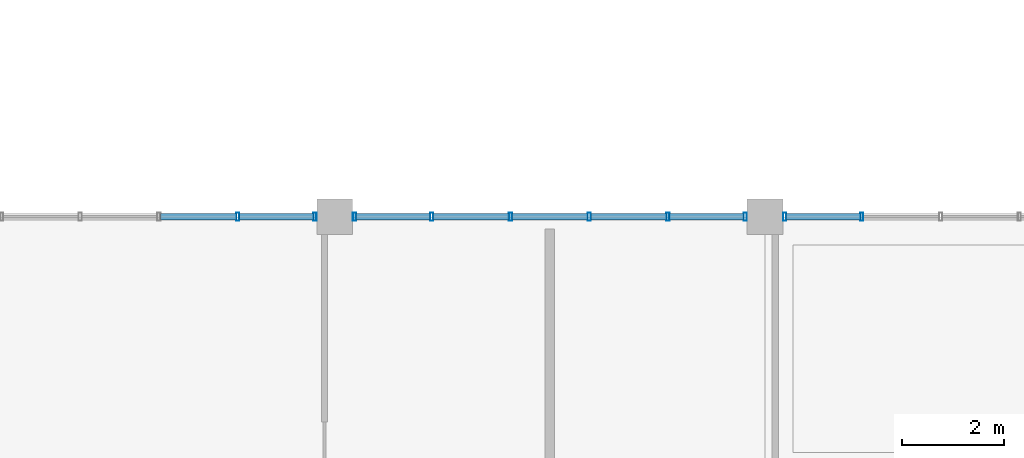
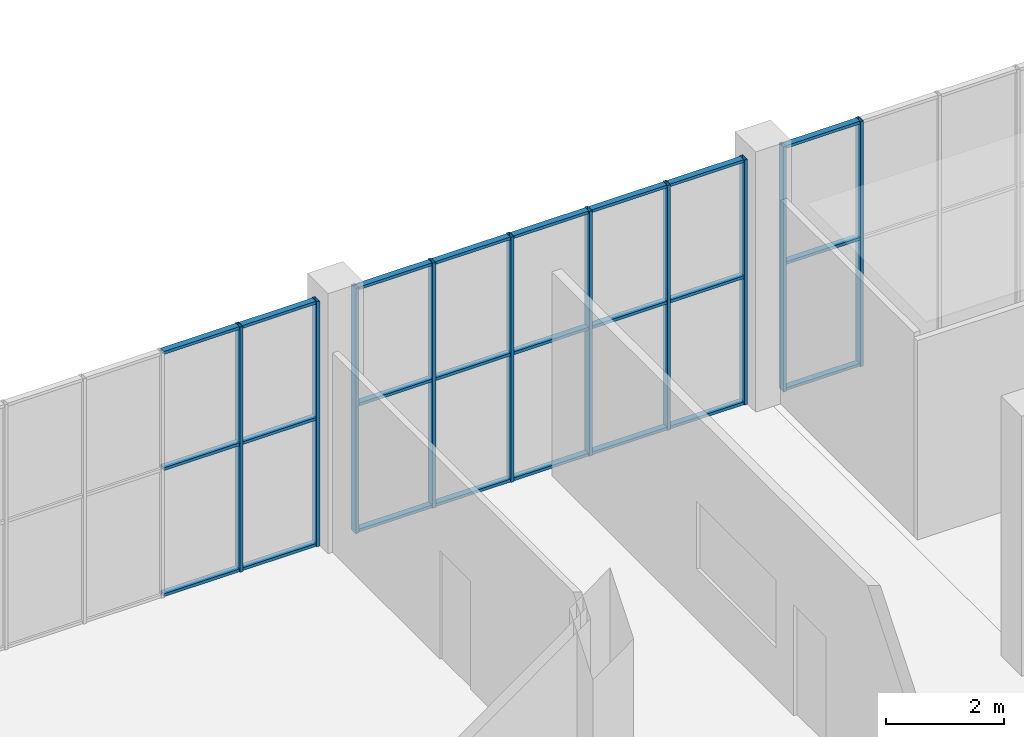
# One storey, part 42 of 91: 34 members, 3 elements without a shape of their own.
"""IFC4 building model written with IfcOpenShell, lengths in metres."""

import ifcopenshell
import ifcopenshell.guid

model = None  # the IFC model being written
_history = None  # IfcOwnerHistory: only IFC2X3 demands one
_inside = {}  # id of a spatial element -> (the spatial element, [elements in it])
_under = {}  # id of a project, library or spatial element -> (it, [spatial elements below it])
_declared = {}  # id of a project -> (the project, [libraries it declares])
_typed = {}  # id of a type object -> (the type object, [elements of that type])
_made_of = {}  # id of a material, layer set ... -> (it, [elements and type objects made of it])


def new_model(schema):
    """Start an empty IFC model of exactly this schema.

    Asked for "IFC4X3", IfcOpenShell would pick the latest addendum, in which some entities
    have other attributes; the version numbers below select the first issue.
    IFC2X3 requires an IfcOwnerHistory on every rooted entity: one is made here for all.
    """
    global model, _history
    if schema == "IFC4X3":
        model = ifcopenshell.file(schema_version=(4, 3, 0, 0))
    else:
        model = ifcopenshell.file(schema=schema)
    _inside.clear()
    _under.clear()
    _declared.clear()
    _typed.clear()
    _made_of.clear()
    _history = None
    if model.schema == "IFC2X3":
        org = make("IfcOrganization", Name="unknown")
        user = make(
            "IfcPersonAndOrganization",
            ThePerson=make("IfcPerson", FamilyName="unknown"),
            TheOrganization=org,
        )
        app = make(
            "IfcApplication",
            ApplicationDeveloper=org,
            Version="unknown",
            ApplicationFullName="unknown",
            ApplicationIdentifier="unknown",
        )
        _history = make(
            "IfcOwnerHistory",
            OwningUser=user,
            OwningApplication=app,
            ChangeAction="ADDED",
            CreationDate=0,
        )
    return model


def make(cls, **values):
    """One entity of the class cls with the attributes given. An attribute that is None is left unset."""
    return model.create_entity(
        cls, **{name: value for name, value in values.items() if value is not None}
    )


def rooted(cls, **values):
    """An entity with a GlobalId (a new one), such as an element, a storey or a relation."""
    return make(cls, GlobalId=ifcopenshell.guid.new(), OwnerHistory=_history, **values)


def si_unit(unit_type, name, prefix=None):
    """IfcSIUnit, for example si_unit("LENGTHUNIT", "METRE", prefix="MILLI")."""
    return make("IfcSIUnit", UnitType=unit_type, Prefix=prefix, Name=name)


def assignment(units):
    """IfcUnitAssignment: the units of a project."""
    return None if units is None else make("IfcUnitAssignment", Units=units)


def point(xyz):
    """IfcCartesianPoint."""
    return None if xyz is None else make("IfcCartesianPoint", Coordinates=xyz)


def direction(xyz):
    """IfcDirection."""
    return None if xyz is None else make("IfcDirection", DirectionRatios=xyz)


def frame(location, z_axis=None, x_axis=None):
    """IfcAxis2Placement3D, a coordinate frame: its origin and axes. An axis left out is left unset."""
    return make(
        "IfcAxis2Placement3D",
        Location=point(location),
        Axis=direction(z_axis),
        RefDirection=direction(x_axis),
    )


def frame_2d(location, x_axis=None):
    """IfcAxis2Placement2D, a coordinate frame in the plane: its origin and x axis."""
    return make(
        "IfcAxis2Placement2D", Location=point(location), RefDirection=direction(x_axis)
    )


def origin():
    """The frame at (0, 0, 0) with its axes left unset."""
    return frame((0.0, 0.0, 0.0))


def origin_2d():
    """The frame at (0, 0) in the plane with its x axis left unset."""
    return frame_2d((0.0, 0.0))


def place(relative_to, where):
    """IfcLocalPlacement: puts the frame where relative to a parent placement (None: the world)."""
    return make(
        "IfcLocalPlacement", PlacementRelTo=relative_to, RelativePlacement=where
    )


def context(
    kind, dimensions, precision=None, world=None, true_north=None, identifier=None
):
    """IfcGeometricRepresentationContext, for example the 3D "Model" context."""
    return make(
        "IfcGeometricRepresentationContext",
        ContextIdentifier=identifier,
        ContextType=kind,
        CoordinateSpaceDimension=dimensions,
        Precision=precision,
        WorldCoordinateSystem=world,
        TrueNorth=true_north,
    )


def subcontext(parent, identifier, kind, view, scale=None):
    """IfcGeometricRepresentationSubContext, for example "Body" below "Model"."""
    return make(
        "IfcGeometricRepresentationSubContext",
        ContextIdentifier=identifier,
        ContextType=kind,
        ParentContext=parent,
        TargetScale=scale,
        TargetView=view,
    )


def project(units=None, contexts=None):
    """IfcProject with its units and contexts."""
    return rooted(
        "IfcProject",
        Name="project",
        RepresentationContexts=contexts,
        UnitsInContext=assignment(units),
    )


def spatial(cls, under=None, at=None, **own):
    """A site, building, storey or space (cls), placed at a placement, below another one or the project."""
    s = rooted(cls, ObjectPlacement=at, **own)
    if under is not None:
        _under.setdefault(under.id(), (under, []))[1].append(s)
    return s


def profile(cls, at=None, kind="AREA", **sizes):
    """A parametric profile (cls). Its sizes go by their IFC names, for example OverallWidth=200.0."""
    return make(cls, ProfileType=kind, Position=at, **sizes)


def hollow_rectangle(**sizes):
    """IfcRectangleHollowProfileDef."""
    return profile("IfcRectangleHollowProfileDef", **sizes)


def extrude(swept, where, along, depth):
    """IfcExtrudedAreaSolid: the profile swept, set in the frame where, extruded along a direction by depth."""
    return make(
        "IfcExtrudedAreaSolid",
        SweptArea=swept,
        Position=where,
        ExtrudedDirection=direction(along),
        Depth=depth,
    )


def shape(context_of_items, identifier, shape_type, items):
    """IfcShapeRepresentation: the items that make up one representation, for example the "Body"."""
    return make(
        "IfcShapeRepresentation",
        ContextOfItems=context_of_items,
        RepresentationIdentifier=identifier,
        RepresentationType=shape_type,
        Items=items,
    )


def material(Name=None, Category=None):
    """IfcMaterial."""
    return make("IfcMaterial", Name=Name, Category=Category)


def material_profile(
    of_material, cross_section, Name=None, Category=None, Priority=None
):
    """IfcMaterialProfile: a cross section and its material."""
    return make(
        "IfcMaterialProfile",
        Name=Name,
        Material=of_material,
        Profile=cross_section,
        Priority=Priority,
        Category=Category,
    )


def profile_set(profiles, Name=None, composite=None):
    """IfcMaterialProfileSet."""
    return make(
        "IfcMaterialProfileSet",
        Name=Name,
        MaterialProfiles=profiles,
        CompositeProfile=composite,
    )


def made_of(thing, what):
    """Note that an element or type object is made of a material, layer set ...; save() writes the relation."""
    if what is not None:
        _made_of.setdefault(what.id(), (what, []))[1].append(thing)
    return thing


def type_object(cls, material=None, **own):
    """A type object (cls), such as IfcWallType, which elements share."""
    return made_of(rooted(cls, **own), material)


def element(
    cls,
    number,
    at=None,
    inside=None,
    cuts=None,
    type_object=None,
    material=None,
    context=None,
    identifier="Body",
    shape_type=None,
    held_by="IfcProductDefinitionShape",
    body=None,
    shapes=None,
    **own,
):
    """One element of the class cls, such as IfcWall. Its Tag is "e" and its number.

    at: its placement. inside: the storey or other place that contains it. cuts: it is an
    opening in that element (IfcRelVoidsElement). A single representation is given by context,
    identifier, shape_type and body (its items); several are given by shapes. held_by: the class
    of the entity that holds the representations. save() writes the other relations.
    """
    e = rooted(cls, Tag="e%d" % number, ObjectPlacement=at, **own)
    if body is not None:
        shapes = [shape(context, identifier, shape_type, body)]
    if shapes is not None:
        e.Representation = make(held_by, Representations=shapes)
    if inside is not None:
        _inside.setdefault(inside.id(), (inside, []))[1].append(e)
    if cuts is not None:
        rooted(
            "IfcRelVoidsElement", RelatingBuildingElement=cuts, RelatedOpeningElement=e
        )
    if type_object is not None:
        _typed.setdefault(type_object.id(), (type_object, []))[1].append(e)
    return made_of(e, material)


def aggregate(whole, parts):
    """IfcRelAggregates: a whole, such as a stair, and the parts it consists of."""
    return rooted("IfcRelAggregates", RelatingObject=whole, RelatedObjects=parts)


def save(model, path):
    """Write the relations noted so far, then the file.

    IfcRelAggregates (storeys below a building ...), IfcRelContainedInSpatialStructure (elements
    in a storey), IfcRelDefinesByType, IfcRelAssociatesMaterial and IfcRelDeclares: one each for
    every whole, place, type object, material and project.
    """
    for whole, parts in _under.values():
        aggregate(whole, parts)
    for where, things in _inside.values():
        rooted(
            "IfcRelContainedInSpatialStructure",
            RelatedElements=things,
            RelatingStructure=where,
        )
    for kind, things in _typed.values():
        rooted("IfcRelDefinesByType", RelatedObjects=things, RelatingType=kind)
    for what, things in _made_of.values():
        rooted("IfcRelAssociatesMaterial", RelatedObjects=things, RelatingMaterial=what)
    for by, libraries in _declared.values():
        rooted("IfcRelDeclares", RelatingContext=by, RelatedDefinitions=libraries)
    model.write(path)


model = new_model("IFC4")

# Units and contexts
model_context = context("Model", 3, precision=1e-05, world=origin(), true_north=direction((0.0, 1.0)))
body_context = subcontext(model_context, "Body", "Model", "MODEL_VIEW")
ifc_project = project(units=[si_unit("LENGTHUNIT", "METRE"), si_unit("AREAUNIT", "SQUARE_METRE"), si_unit("VOLUMEUNIT", "CUBIC_METRE"), si_unit("PLANEANGLEUNIT", "RADIAN"), si_unit("MASSUNIT", "GRAM", prefix="KILO")], contexts=[model_context])

# Site, building, storey
site_placement = place(None, origin())
site = spatial("IfcSite", under=ifc_project, at=site_placement, CompositionType="ELEMENT")
building_placement = place(site_placement, origin())
building = spatial("IfcBuilding", under=site, at=building_placement, Name="Khurvash Pelagic Aquarium", CompositionType="ELEMENT")
storey_placement = place(building_placement, origin())
storey = spatial("IfcBuildingStorey", under=building, at=storey_placement, Name="L00", CompositionType="ELEMENT", Elevation=0.0)

# Curtain wall, members
ifc_material_1 = material(Name="Anodised aluminium and low-E laminated glass", Category="aluminium")
curtain_wall_type = type_object("IfcCurtainWallType", Name="CW-02", PredefinedType="USERDEFINED", material=ifc_material_1)
curtain_wall_1_placement = place(storey_placement, origin())
curtain_wall_1 = element("IfcCurtainWall", 1, at=curtain_wall_1_placement, inside=storey, type_object=curtain_wall_type, Name="L00 Facade Unitised Curtain Wall CW-02 0067", ObjectType="UNITISED CURTAIN WALL", PredefinedType="USERDEFINED")
ifc_material_2 = material(Name="Extruded aluminium AW-6063-T6", Category="aluminium")
ifc_material_profile_1 = material_profile(ifc_material_2, hollow_rectangle(XDim=0.06005859375, YDim=0.159912109375, WallThickness=0.00390625, at=origin_2d()), Name="CWM60X160X4")
ifc_profile_set_1 = profile_set([ifc_material_profile_1], Name="Extruded aluminium AW-6063-T6")
member_type_1 = type_object("IfcMemberType", Name="CM-02", PredefinedType="MULLION", material=ifc_profile_set_1)
member_1_placement = place(storey_placement, frame((35.492919921875, 102.14990234375, 0.0), z_axis=(0.0, 0.0, 1.0), x_axis=(-1.0, 0.0, 0.0)))
member_1 = element("IfcMember", 2, at=member_1_placement, type_object=member_type_1, Name="CW-02 mullion 5", PredefinedType="MULLION", context=body_context, shape_type="SweptSolid", body=[
    extrude(hollow_rectangle(XDim=0.06005859375, YDim=0.159912109375, WallThickness=0.00390625, at=origin_2d()), origin(), (0.0, 0.0, 1.0), 5.090087890625),
])
member_2_placement = place(storey_placement, frame((33.985107421875, 102.14990234375, 0.0), z_axis=(0.0, 0.0, 1.0), x_axis=(-1.0, 0.0, 0.0)))
member_2 = element("IfcMember", 3, at=member_2_placement, type_object=member_type_1, Name="CW-02 mullion 6", PredefinedType="MULLION", context=body_context, shape_type="SweptSolid", body=[
    extrude(hollow_rectangle(XDim=0.06005859375, YDim=0.159912109375, WallThickness=0.00390625, at=origin_2d()), origin(), (0.0, 0.0, 1.0), 5.090087890625),
])

curtain_wall_2_placement = place(storey_placement, origin())
curtain_wall_2 = element("IfcCurtainWall", 4, at=curtain_wall_2_placement, inside=storey, type_object=curtain_wall_type, Name="L00 Facade Unitised Curtain Wall CW-02 0068", ObjectType="UNITISED CURTAIN WALL", PredefinedType="USERDEFINED")
member_3_placement = place(storey_placement, frame((33.215087890625, 102.14990234375, 0.0), z_axis=(0.0, 0.0, 1.0), x_axis=(-1.0, 0.0, 0.0)))
member_3 = element("IfcMember", 5, at=member_3_placement, type_object=member_type_1, Name="CW-02 mullion 1", PredefinedType="MULLION", context=body_context, shape_type="SweptSolid", body=[
    extrude(hollow_rectangle(XDim=0.06005859375, YDim=0.159912109375, WallThickness=0.00390625, at=origin_2d()), origin(), (0.0, 0.0, 1.0), 5.090087890625),
])
member_4_placement = place(storey_placement, frame((31.70703125, 102.14990234375, 0.0), z_axis=(0.0, 0.0, 1.0), x_axis=(-1.0, 0.0, 0.0)))
member_4 = element("IfcMember", 6, at=member_4_placement, type_object=member_type_1, Name="CW-02 mullion 2", PredefinedType="MULLION", context=body_context, shape_type="SweptSolid", body=[
    extrude(hollow_rectangle(XDim=0.06005859375, YDim=0.159912109375, WallThickness=0.00390625, at=origin_2d()), origin(), (0.0, 0.0, 1.0), 5.090087890625),
])
member_5_placement = place(storey_placement, frame((30.1689453125, 102.14990234375, 0.0), z_axis=(0.0, 0.0, 1.0), x_axis=(-1.0, 0.0, 0.0)))
member_5 = element("IfcMember", 7, at=member_5_placement, type_object=member_type_1, Name="CW-02 mullion 3", PredefinedType="MULLION", context=body_context, shape_type="SweptSolid", body=[
    extrude(hollow_rectangle(XDim=0.06005859375, YDim=0.159912109375, WallThickness=0.00390625, at=origin_2d()), origin(), (0.0, 0.0, 1.0), 5.090087890625),
])
member_6_placement = place(storey_placement, frame((28.631103515625, 102.14990234375, 0.0), z_axis=(0.0, 0.0, 1.0), x_axis=(-1.0, 0.0, 0.0)))
member_6 = element("IfcMember", 8, at=member_6_placement, type_object=member_type_1, Name="CW-02 mullion 4", PredefinedType="MULLION", context=body_context, shape_type="SweptSolid", body=[
    extrude(hollow_rectangle(XDim=0.06005859375, YDim=0.159912109375, WallThickness=0.00390625, at=origin_2d()), origin(), (0.0, 0.0, 1.0), 5.090087890625),
])
member_7_placement = place(storey_placement, frame((27.093017578125, 102.14990234375, 0.0), z_axis=(0.0, 0.0, 1.0), x_axis=(-1.0, 0.0, 0.0)))
member_7 = element("IfcMember", 9, at=member_7_placement, type_object=member_type_1, Name="CW-02 mullion 5", PredefinedType="MULLION", context=body_context, shape_type="SweptSolid", body=[
    extrude(hollow_rectangle(XDim=0.06005859375, YDim=0.159912109375, WallThickness=0.00390625, at=origin_2d()), origin(), (0.0, 0.0, 1.0), 5.090087890625),
])
member_8_placement = place(storey_placement, frame((25.5849609375, 102.14990234375, 0.0), z_axis=(0.0, 0.0, 1.0), x_axis=(-1.0, 0.0, 0.0)))
member_8 = element("IfcMember", 10, at=member_8_placement, type_object=member_type_1, Name="CW-02 mullion 6", PredefinedType="MULLION", context=body_context, shape_type="SweptSolid", body=[
    extrude(hollow_rectangle(XDim=0.06005859375, YDim=0.159912109375, WallThickness=0.00390625, at=origin_2d()), origin(), (0.0, 0.0, 1.0), 5.090087890625),
])

curtain_wall_3_placement = place(storey_placement, origin())
curtain_wall_3 = element("IfcCurtainWall", 11, at=curtain_wall_3_placement, inside=storey, type_object=curtain_wall_type, Name="L00 Facade Unitised Curtain Wall CW-02 0069", ObjectType="UNITISED CURTAIN WALL", PredefinedType="USERDEFINED")
member_9_placement = place(storey_placement, frame((24.81494140625, 102.14990234375, 0.0), z_axis=(0.0, 0.0, 1.0), x_axis=(-1.0, 0.0, 0.0)))
member_9 = element("IfcMember", 12, at=member_9_placement, type_object=member_type_1, Name="CW-02 mullion 1", PredefinedType="MULLION", context=body_context, shape_type="SweptSolid", body=[
    extrude(hollow_rectangle(XDim=0.06005859375, YDim=0.159912109375, WallThickness=0.00390625, at=origin_2d()), origin(), (0.0, 0.0, 1.0), 5.090087890625),
])
member_10_placement = place(storey_placement, frame((23.306884765625, 102.14990234375, 0.0), z_axis=(0.0, 0.0, 1.0), x_axis=(-1.0, 0.0, 0.0)))
member_10 = element("IfcMember", 13, at=member_10_placement, type_object=member_type_1, Name="CW-02 mullion 2", PredefinedType="MULLION", context=body_context, shape_type="SweptSolid", body=[
    extrude(hollow_rectangle(XDim=0.06005859375, YDim=0.159912109375, WallThickness=0.00390625, at=origin_2d()), origin(), (0.0, 0.0, 1.0), 5.090087890625),
])

# Member
ifc_material_profile_2 = material_profile(ifc_material_2, hollow_rectangle(XDim=0.1201171875, YDim=0.06005859375, WallThickness=0.00390625, at=origin_2d()), Name="CWT120X60X4")
ifc_profile_set_2 = profile_set([ifc_material_profile_2], Name="Extruded aluminium AW-6063-T6")
member_type_2 = type_object("IfcMemberType", Name="CT-02", PredefinedType="USERDEFINED", material=ifc_profile_set_2)
member_11_placement = place(storey_placement, frame((35.462890625, 102.14990234375, 0.030029296875), z_axis=(-1.0, 0.0, 0.0), x_axis=(0.0, -1.0, 0.0)))
member_11 = element("IfcMember", 14, at=member_11_placement, type_object=member_type_2, Name="CW-02 transom 5.1", ObjectType="TRANSOM", PredefinedType="USERDEFINED", context=body_context, shape_type="SweptSolid", body=[
    extrude(hollow_rectangle(XDim=0.1201171875, YDim=0.06005859375, WallThickness=0.00390625, at=origin_2d()), origin(), (0.0, 0.0, 1.0), 1.447998046875),
])

member_12_placement = place(storey_placement, frame((35.462890625, 102.14990234375, 2.64697265625), z_axis=(-1.0, 0.0, 0.0), x_axis=(0.0, -1.0, 0.0)))
member_12 = element("IfcMember", 15, at=member_12_placement, type_object=member_type_2, Name="CW-02 transom 5.2", ObjectType="TRANSOM", PredefinedType="USERDEFINED", context=body_context, shape_type="SweptSolid", body=[
    extrude(hollow_rectangle(XDim=0.1201171875, YDim=0.06005859375, WallThickness=0.00390625, at=origin_2d()), origin(), (0.0, 0.0, 1.0), 1.447998046875),
])

member_13_placement = place(storey_placement, frame((35.462890625, 102.14990234375, 5.06005859375), z_axis=(-1.0, 0.0, 0.0), x_axis=(0.0, -1.0, 0.0)))
member_13 = element("IfcMember", 16, at=member_13_placement, type_object=member_type_2, Name="CW-02 transom 5.3", ObjectType="TRANSOM", PredefinedType="USERDEFINED", context=body_context, shape_type="SweptSolid", body=[
    extrude(hollow_rectangle(XDim=0.1201171875, YDim=0.06005859375, WallThickness=0.00390625, at=origin_2d()), origin(), (0.0, 0.0, 1.0), 1.447998046875),
])

aggregate(curtain_wall_1, [member_1, member_2, member_11, member_12, member_13])

member_14_placement = place(storey_placement, frame((33.18505859375, 102.14990234375, 0.030029296875), z_axis=(-1.0, 0.0, 0.0), x_axis=(0.0, -1.0, 0.0)))
member_14 = element("IfcMember", 17, at=member_14_placement, type_object=member_type_2, Name="CW-02 transom 1.1", ObjectType="TRANSOM", PredefinedType="USERDEFINED", context=body_context, shape_type="SweptSolid", body=[
    extrude(hollow_rectangle(XDim=0.1201171875, YDim=0.06005859375, WallThickness=0.00390625, at=origin_2d()), origin(), (0.0, 0.0, 1.0), 1.447998046875),
])

member_15_placement = place(storey_placement, frame((33.18505859375, 102.14990234375, 2.64697265625), z_axis=(-1.0, 0.0, 0.0), x_axis=(0.0, -1.0, 0.0)))
member_15 = element("IfcMember", 18, at=member_15_placement, type_object=member_type_2, Name="CW-02 transom 1.2", ObjectType="TRANSOM", PredefinedType="USERDEFINED", context=body_context, shape_type="SweptSolid", body=[
    extrude(hollow_rectangle(XDim=0.1201171875, YDim=0.06005859375, WallThickness=0.00390625, at=origin_2d()), origin(), (0.0, 0.0, 1.0), 1.447998046875),
])

member_16_placement = place(storey_placement, frame((33.18505859375, 102.14990234375, 5.06005859375), z_axis=(-1.0, 0.0, 0.0), x_axis=(0.0, -1.0, 0.0)))
member_16 = element("IfcMember", 19, at=member_16_placement, type_object=member_type_2, Name="CW-02 transom 1.3", ObjectType="TRANSOM", PredefinedType="USERDEFINED", context=body_context, shape_type="SweptSolid", body=[
    extrude(hollow_rectangle(XDim=0.1201171875, YDim=0.06005859375, WallThickness=0.00390625, at=origin_2d()), origin(), (0.0, 0.0, 1.0), 1.447998046875),
])

member_17_placement = place(storey_placement, frame((31.677001953125, 102.14990234375, 0.030029296875), z_axis=(-1.0, 0.0, 0.0), x_axis=(0.0, -1.0, 0.0)))
member_17 = element("IfcMember", 20, at=member_17_placement, type_object=member_type_2, Name="CW-02 transom 2.1", ObjectType="TRANSOM", PredefinedType="USERDEFINED", context=body_context, shape_type="SweptSolid", body=[
    extrude(hollow_rectangle(XDim=0.1201171875, YDim=0.06005859375, WallThickness=0.00390625, at=origin_2d()), origin(), (0.0, 0.0, 1.0), 1.47802734375),
])

member_18_placement = place(storey_placement, frame((31.677001953125, 102.14990234375, 2.64697265625), z_axis=(-1.0, 0.0, 0.0), x_axis=(0.0, -1.0, 0.0)))
member_18 = element("IfcMember", 21, at=member_18_placement, type_object=member_type_2, Name="CW-02 transom 2.2", ObjectType="TRANSOM", PredefinedType="USERDEFINED", context=body_context, shape_type="SweptSolid", body=[
    extrude(hollow_rectangle(XDim=0.1201171875, YDim=0.06005859375, WallThickness=0.00390625, at=origin_2d()), origin(), (0.0, 0.0, 1.0), 1.47802734375),
])

member_19_placement = place(storey_placement, frame((31.677001953125, 102.14990234375, 5.06005859375), z_axis=(-1.0, 0.0, 0.0), x_axis=(0.0, -1.0, 0.0)))
member_19 = element("IfcMember", 22, at=member_19_placement, type_object=member_type_2, Name="CW-02 transom 2.3", ObjectType="TRANSOM", PredefinedType="USERDEFINED", context=body_context, shape_type="SweptSolid", body=[
    extrude(hollow_rectangle(XDim=0.1201171875, YDim=0.06005859375, WallThickness=0.00390625, at=origin_2d()), origin(), (0.0, 0.0, 1.0), 1.47802734375),
])

member_20_placement = place(storey_placement, frame((30.138916015625, 102.14990234375, 0.030029296875), z_axis=(-1.0, 0.0, 0.0), x_axis=(0.0, -1.0, 0.0)))
member_20 = element("IfcMember", 23, at=member_20_placement, type_object=member_type_2, Name="CW-02 transom 3.1", ObjectType="TRANSOM", PredefinedType="USERDEFINED", context=body_context, shape_type="SweptSolid", body=[
    extrude(hollow_rectangle(XDim=0.1201171875, YDim=0.06005859375, WallThickness=0.00390625, at=origin_2d()), origin(), (0.0, 0.0, 1.0), 1.47802734375),
])

member_21_placement = place(storey_placement, frame((30.138916015625, 102.14990234375, 2.64697265625), z_axis=(-1.0, 0.0, 0.0), x_axis=(0.0, -1.0, 0.0)))
member_21 = element("IfcMember", 24, at=member_21_placement, type_object=member_type_2, Name="CW-02 transom 3.2", ObjectType="TRANSOM", PredefinedType="USERDEFINED", context=body_context, shape_type="SweptSolid", body=[
    extrude(hollow_rectangle(XDim=0.1201171875, YDim=0.06005859375, WallThickness=0.00390625, at=origin_2d()), origin(), (0.0, 0.0, 1.0), 1.47802734375),
])

member_22_placement = place(storey_placement, frame((30.138916015625, 102.14990234375, 5.06005859375), z_axis=(-1.0, 0.0, 0.0), x_axis=(0.0, -1.0, 0.0)))
member_22 = element("IfcMember", 25, at=member_22_placement, type_object=member_type_2, Name="CW-02 transom 3.3", ObjectType="TRANSOM", PredefinedType="USERDEFINED", context=body_context, shape_type="SweptSolid", body=[
    extrude(hollow_rectangle(XDim=0.1201171875, YDim=0.06005859375, WallThickness=0.00390625, at=origin_2d()), origin(), (0.0, 0.0, 1.0), 1.47802734375),
])

member_23_placement = place(storey_placement, frame((28.60107421875, 102.14990234375, 0.030029296875), z_axis=(-1.0, 0.0, 0.0), x_axis=(0.0, -1.0, 0.0)))
member_23 = element("IfcMember", 26, at=member_23_placement, type_object=member_type_2, Name="CW-02 transom 4.1", ObjectType="TRANSOM", PredefinedType="USERDEFINED", context=body_context, shape_type="SweptSolid", body=[
    extrude(hollow_rectangle(XDim=0.1201171875, YDim=0.06005859375, WallThickness=0.00390625, at=origin_2d()), origin(), (0.0, 0.0, 1.0), 1.47802734375),
])

member_24_placement = place(storey_placement, frame((28.60107421875, 102.14990234375, 2.64697265625), z_axis=(-1.0, 0.0, 0.0), x_axis=(0.0, -1.0, 0.0)))
member_24 = element("IfcMember", 27, at=member_24_placement, type_object=member_type_2, Name="CW-02 transom 4.2", ObjectType="TRANSOM", PredefinedType="USERDEFINED", context=body_context, shape_type="SweptSolid", body=[
    extrude(hollow_rectangle(XDim=0.1201171875, YDim=0.06005859375, WallThickness=0.00390625, at=origin_2d()), origin(), (0.0, 0.0, 1.0), 1.47802734375),
])

member_25_placement = place(storey_placement, frame((28.60107421875, 102.14990234375, 5.06005859375), z_axis=(-1.0, 0.0, 0.0), x_axis=(0.0, -1.0, 0.0)))
member_25 = element("IfcMember", 28, at=member_25_placement, type_object=member_type_2, Name="CW-02 transom 4.3", ObjectType="TRANSOM", PredefinedType="USERDEFINED", context=body_context, shape_type="SweptSolid", body=[
    extrude(hollow_rectangle(XDim=0.1201171875, YDim=0.06005859375, WallThickness=0.00390625, at=origin_2d()), origin(), (0.0, 0.0, 1.0), 1.47802734375),
])

member_26_placement = place(storey_placement, frame((27.06298828125, 102.14990234375, 0.030029296875), z_axis=(-1.0, 0.0, 0.0), x_axis=(0.0, -1.0, 0.0)))
member_26 = element("IfcMember", 29, at=member_26_placement, type_object=member_type_2, Name="CW-02 transom 5.1", ObjectType="TRANSOM", PredefinedType="USERDEFINED", context=body_context, shape_type="SweptSolid", body=[
    extrude(hollow_rectangle(XDim=0.1201171875, YDim=0.06005859375, WallThickness=0.00390625, at=origin_2d()), origin(), (0.0, 0.0, 1.0), 1.447998046875),
])

member_27_placement = place(storey_placement, frame((27.06298828125, 102.14990234375, 2.64697265625), z_axis=(-1.0, 0.0, 0.0), x_axis=(0.0, -1.0, 0.0)))
member_27 = element("IfcMember", 30, at=member_27_placement, type_object=member_type_2, Name="CW-02 transom 5.2", ObjectType="TRANSOM", PredefinedType="USERDEFINED", context=body_context, shape_type="SweptSolid", body=[
    extrude(hollow_rectangle(XDim=0.1201171875, YDim=0.06005859375, WallThickness=0.00390625, at=origin_2d()), origin(), (0.0, 0.0, 1.0), 1.447998046875),
])

member_28_placement = place(storey_placement, frame((27.06298828125, 102.14990234375, 5.06005859375), z_axis=(-1.0, 0.0, 0.0), x_axis=(0.0, -1.0, 0.0)))
member_28 = element("IfcMember", 31, at=member_28_placement, type_object=member_type_2, Name="CW-02 transom 5.3", ObjectType="TRANSOM", PredefinedType="USERDEFINED", context=body_context, shape_type="SweptSolid", body=[
    extrude(hollow_rectangle(XDim=0.1201171875, YDim=0.06005859375, WallThickness=0.00390625, at=origin_2d()), origin(), (0.0, 0.0, 1.0), 1.447998046875),
])

aggregate(curtain_wall_2, [member_3, member_4, member_5, member_6, member_7, member_8, member_14, member_15, member_16, member_17, member_18, member_19, member_20, member_21, member_22, member_23, member_24, member_25, member_26, member_27, member_28])

member_29_placement = place(storey_placement, frame((24.784912109375, 102.14990234375, 0.030029296875), z_axis=(-1.0, 0.0, 0.0), x_axis=(0.0, -1.0, 0.0)))
member_29 = element("IfcMember", 32, at=member_29_placement, type_object=member_type_2, Name="CW-02 transom 1.1", ObjectType="TRANSOM", PredefinedType="USERDEFINED", context=body_context, shape_type="SweptSolid", body=[
    extrude(hollow_rectangle(XDim=0.1201171875, YDim=0.06005859375, WallThickness=0.00390625, at=origin_2d()), origin(), (0.0, 0.0, 1.0), 1.447998046875),
])

member_30_placement = place(storey_placement, frame((24.784912109375, 102.14990234375, 2.64697265625), z_axis=(-1.0, 0.0, 0.0), x_axis=(0.0, -1.0, 0.0)))
member_30 = element("IfcMember", 33, at=member_30_placement, type_object=member_type_2, Name="CW-02 transom 1.2", ObjectType="TRANSOM", PredefinedType="USERDEFINED", context=body_context, shape_type="SweptSolid", body=[
    extrude(hollow_rectangle(XDim=0.1201171875, YDim=0.06005859375, WallThickness=0.00390625, at=origin_2d()), origin(), (0.0, 0.0, 1.0), 1.447998046875),
])

member_31_placement = place(storey_placement, frame((24.784912109375, 102.14990234375, 5.06005859375), z_axis=(-1.0, 0.0, 0.0), x_axis=(0.0, -1.0, 0.0)))
member_31 = element("IfcMember", 34, at=member_31_placement, type_object=member_type_2, Name="CW-02 transom 1.3", ObjectType="TRANSOM", PredefinedType="USERDEFINED", context=body_context, shape_type="SweptSolid", body=[
    extrude(hollow_rectangle(XDim=0.1201171875, YDim=0.06005859375, WallThickness=0.00390625, at=origin_2d()), origin(), (0.0, 0.0, 1.0), 1.447998046875),
])

member_32_placement = place(storey_placement, frame((23.277099609375, 102.14990234375, 0.030029296875), z_axis=(-1.0, 0.0, 0.0), x_axis=(0.0, -1.0, 0.0)))
member_32 = element("IfcMember", 35, at=member_32_placement, type_object=member_type_2, Name="CW-02 transom 2.1", ObjectType="TRANSOM", PredefinedType="USERDEFINED", context=body_context, shape_type="SweptSolid", body=[
    extrude(hollow_rectangle(XDim=0.1201171875, YDim=0.06005859375, WallThickness=0.00390625, at=origin_2d()), origin(), (0.0, 0.0, 1.0), 1.47802734375),
])

member_33_placement = place(storey_placement, frame((23.277099609375, 102.14990234375, 2.64697265625), z_axis=(-1.0, 0.0, 0.0), x_axis=(0.0, -1.0, 0.0)))
member_33 = element("IfcMember", 36, at=member_33_placement, type_object=member_type_2, Name="CW-02 transom 2.2", ObjectType="TRANSOM", PredefinedType="USERDEFINED", context=body_context, shape_type="SweptSolid", body=[
    extrude(hollow_rectangle(XDim=0.1201171875, YDim=0.06005859375, WallThickness=0.00390625, at=origin_2d()), origin(), (0.0, 0.0, 1.0), 1.47802734375),
])

member_34_placement = place(storey_placement, frame((23.277099609375, 102.14990234375, 5.06005859375), z_axis=(-1.0, 0.0, 0.0), x_axis=(0.0, -1.0, 0.0)))
member_34 = element("IfcMember", 37, at=member_34_placement, type_object=member_type_2, Name="CW-02 transom 2.3", ObjectType="TRANSOM", PredefinedType="USERDEFINED", context=body_context, shape_type="SweptSolid", body=[
    extrude(hollow_rectangle(XDim=0.1201171875, YDim=0.06005859375, WallThickness=0.00390625, at=origin_2d()), origin(), (0.0, 0.0, 1.0), 1.47802734375),
])

aggregate(curtain_wall_3, [member_9, member_10, member_29, member_30, member_31, member_32, member_33, member_34])

save(model, "model.ifc")
